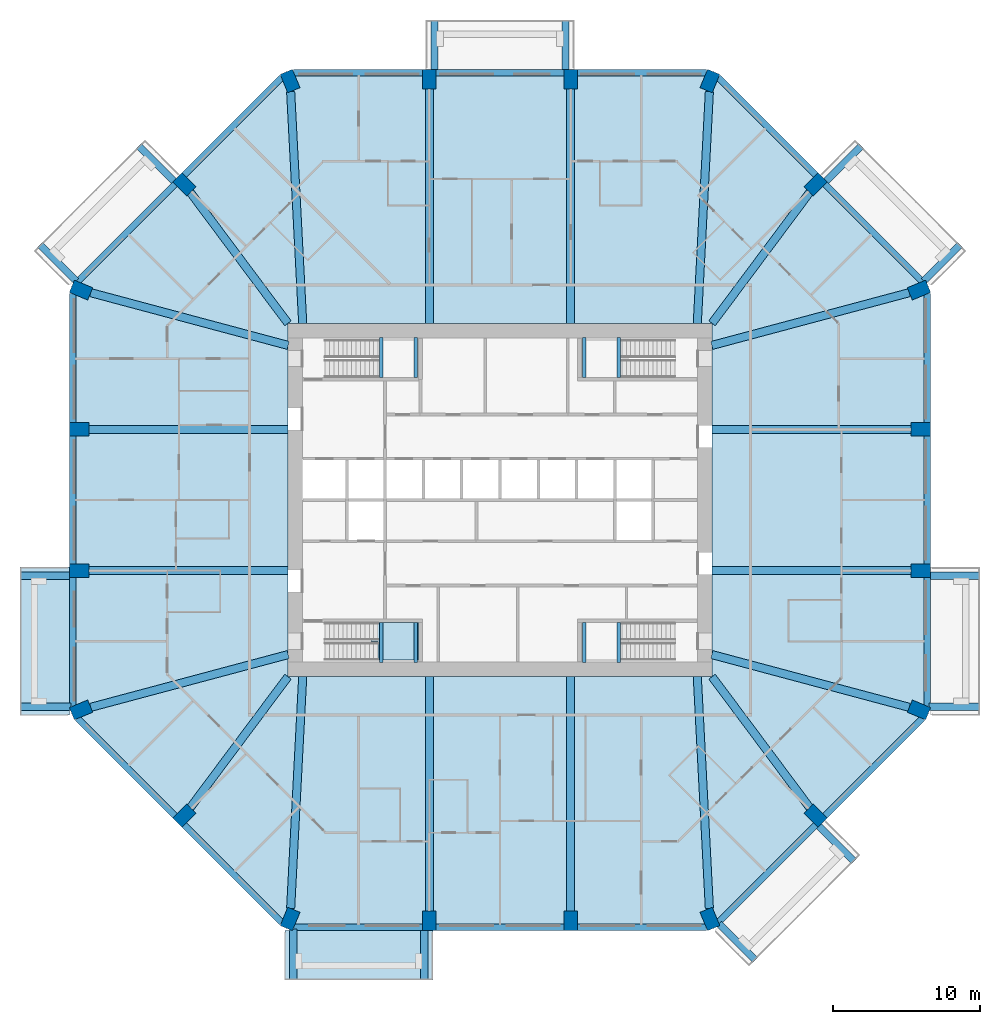
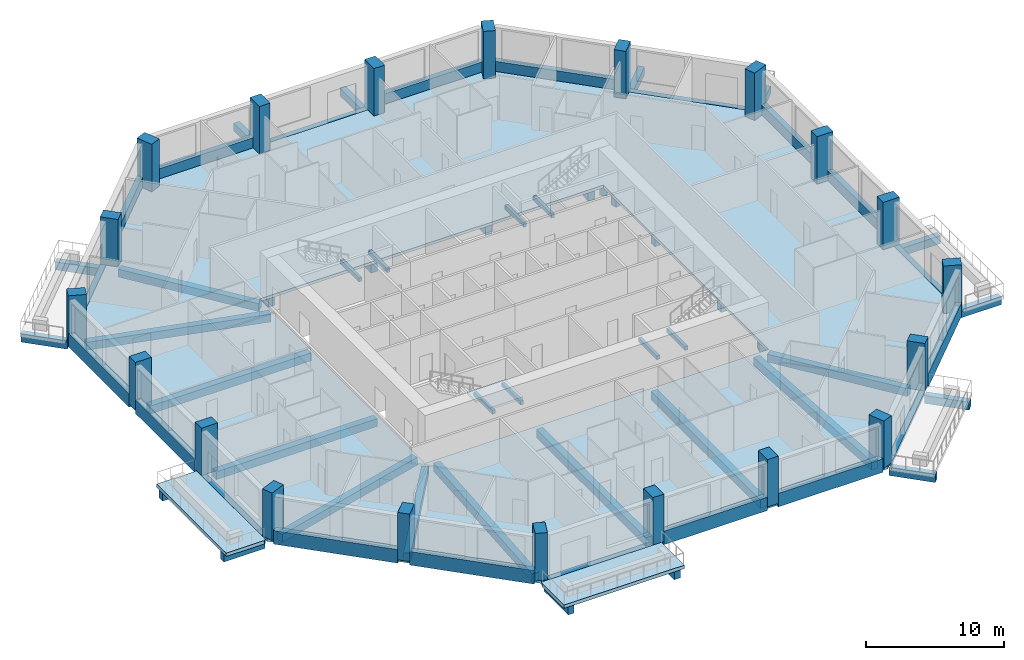
# One storey, part 1 of 13: 62 beams, 20 columns, 4 slabs, 1 element without a shape of its own.
"""IFC4 building model written with IfcOpenShell, lengths in metres."""

from ifc_helpers import new_model, si_unit, direction, frame, origin, origin_2d, place, context, subcontext, project, spatial, polyline, rectangle, outline, extrude, material, layer, layer_set, material_profile, profile_set, type_object, element, aggregate, save


model = new_model("IFC4")

# Units and contexts
model_context = context("Model", 3, precision=1e-05, world=origin(), true_north=direction((0.0, 1.0)))
body_context = subcontext(model_context, "Body", "Model", "MODEL_VIEW")
ifc_project = project(units=[si_unit("LENGTHUNIT", "METRE"), si_unit("AREAUNIT", "SQUARE_METRE"), si_unit("VOLUMEUNIT", "CUBIC_METRE"), si_unit("PLANEANGLEUNIT", "RADIAN"), si_unit("MASSUNIT", "GRAM", prefix="KILO")], contexts=[model_context])

# Site, building, storey
site_placement = place(None, origin())
site = spatial("IfcSite", under=ifc_project, at=site_placement, CompositionType="ELEMENT")
building_placement = place(site_placement, origin())
building = spatial("IfcBuilding", under=site, at=building_placement, Name="Msitu Wima Residences", CompositionType="ELEMENT")
storey_placement = place(building_placement, frame((0.0, 0.0, 84.300048828125)))
storey = spatial("IfcBuildingStorey", under=building, at=storey_placement, Name="L19", CompositionType="ELEMENT", Elevation=84.300048828125)

# Columns
ifc_material_1 = material(Name="Concrete C80/95", Category="concrete")
ifc_material_profile_1 = material_profile(ifc_material_1, rectangle(XDim=0.89990234375, YDim=1.35009765625, at=origin_2d()), Name="RC 900x1350")
ifc_profile_set_1 = profile_set([ifc_material_profile_1], Name="Concrete C80/95")
column_type = type_object("IfcColumnType", Name="Column RC 900x1350 Concrete C80/95", PredefinedType="COLUMN", material=ifc_profile_set_1)
for number, where, z_axis, x_axis, name in (
    (1, (28.4541015625, -14.2568359375, 0.0), (0.0, 0.0, 1.0), (0.382683496864, 0.923879505795, 0.0), "Column L19 C-E0"),
    (2, (28.574951171875, -4.800048828125, 0.0), (0.0, 0.0, 1.0), (0.0, 1.0, 0.0), "Column L19 C-E1"),
    (3, (28.574951171875, 4.800048828125, 0.0), (0.0, 0.0, 1.0), (0.0, 1.0, 0.0), "Column L19 C-E2"),
    (4, (28.4541015625, 14.2568359375, 0.0), (0.0, 0.0, 1.0), (-0.382683496864, 0.923879505795, 0.0), "Column L19 C-NE0"),
    (5, (21.44091796875, 21.44091796875, 0.0), (0.0, 0.0, 1.0), (-0.707106781187, 0.707106781187, 0.0), "Column L19 C-NE1"),
    (6, (14.2568359375, 28.4541015625, 0.0), (0.0, 0.0, 1.0), (-0.923879505795, 0.382683496864, 0.0), "Column L19 C-N0"),
    (7, (4.800048828125, 28.574951171875, 0.0), (0.0, 0.0, 1.0), (-1.0, 0.0, 0.0), "Column L19 C-N1"),
    (8, (-4.800048828125, 28.574951171875, 0.0), (0.0, 0.0, 1.0), (-1.0, 0.0, 0.0), "Column L19 C-N2"),
    (9, (-14.2568359375, 28.4541015625, 0.0), (0.0, 0.0, 1.0), (-0.923879505795, -0.382683496864, 0.0), "Column L19 C-NW0"),
    (10, (-21.44091796875, 21.44091796875, 0.0), (0.0, 0.0, 1.0), (-0.707106781187, -0.707106781187, 0.0), "Column L19 C-NW1"),
    (11, (-28.4541015625, 14.2568359375, 0.0), (0.0, 0.0, 1.0), (-0.382683496864, -0.923879505795, 0.0), "Column L19 C-W0"),
    (12, (-28.574951171875, 4.800048828125, 0.0), (0.0, 0.0, 1.0), (0.0, -1.0, 0.0), "Column L19 C-W1"),
    (13, (-28.574951171875, -4.800048828125, 0.0), (0.0, 0.0, 1.0), (0.0, -1.0, 0.0), "Column L19 C-W2"),
    (14, (-28.4541015625, -14.2568359375, 0.0), (0.0, 0.0, 1.0), (0.382683496864, -0.923879505795, 0.0), "Column L19 C-SW0"),
    (15, (-21.44091796875, -21.44091796875, 0.0), (0.0, 0.0, 1.0), (0.707106781187, -0.707106781187, 0.0), "Column L19 C-SW1"),
    (16, (-14.2568359375, -28.4541015625, 0.0), (0.0, 0.0, 1.0), (0.923879505795, -0.382683496864, 0.0), "Column L19 C-S0"),
    (17, (-4.800048828125, -28.574951171875, 0.0), (0.0, 0.0, 1.0), (1.0, 0.0, 0.0), "Column L19 C-S1"),
    (18, (4.800048828125, -28.574951171875, 0.0), (0.0, 0.0, 1.0), (1.0, 0.0, 0.0), "Column L19 C-S2"),
    (19, (14.2568359375, -28.4541015625, 0.0), (0.0, 0.0, 1.0), (0.923879505795, 0.382683496864, 0.0), "Column L19 C-SE0"),
    (20, (21.44091796875, -21.44091796875, 0.0), (0.0, 0.0, 1.0), (0.707106781187, 0.707106781187, 0.0), "Column L19 C-SE1"),
):
    element("IfcColumn", number, at=place(storey_placement, frame(where, z_axis=z_axis, x_axis=x_axis)), inside=storey, type_object=column_type, Name=name, PredefinedType="COLUMN", context=body_context, shape_type="SweptSolid", body=[
        extrude(rectangle(XDim=0.89990234375, YDim=1.35009765625, at=origin_2d()), origin(), (0.0, 0.0, 1.0), 4.199951171875),
    ])

# Beams
ifc_material_2 = material(Name="Concrete C50/60", Category="concrete")
ifc_material_profile_2 = material_profile(ifc_material_2, rectangle(XDim=0.550048828125, YDim=0.699951171875, at=origin_2d()), Name="RC 550x700")
ifc_profile_set_2 = profile_set([ifc_material_profile_2], Name="Concrete C50/60")
beam_type_1 = type_object("IfcBeamType", Name="Beam RC 550x700 Concrete C50/60", PredefinedType="BEAM", material=ifc_profile_set_2)
beam_1_placement = place(storey_placement, frame((27.79638671875, -14.080810546875, -0.60009765625), z_axis=(-0.966081778408, 0.258236320891, 0.0), x_axis=(-0.258236320891, -0.966081778408, 0.0)))
element("IfcBeam", 21, at=beam_1_placement, inside=storey, type_object=beam_type_1, Name="Beam L19 C-E0", PredefinedType="BEAM", context=body_context, shape_type="SweptSolid", body=[
    extrude(rectangle(XDim=0.550048828125, YDim=0.699951171875, at=origin_2d()), origin(), (0.0, 0.0, 1.0), 13.878662109375),
])
for number, where, z_axis, x_axis, name in (
    (22, (27.89990234375, -4.800048828125, -0.60009765625), (-1.0, 0.0, 0.0), (0.0, -1.0, 0.0), "Beam L19 C-E1"),
    (23, (27.89990234375, 4.800048828125, -0.60009765625), (-1.0, 0.0, 0.0), (0.0, -1.0, 0.0), "Beam L19 C-E2"),
):
    element("IfcBeam", number, at=place(storey_placement, frame(where, z_axis=z_axis, x_axis=x_axis)), inside=storey, type_object=beam_type_1, Name=name, PredefinedType="BEAM", context=body_context, shape_type="SweptSolid", body=[
        extrude(rectangle(XDim=0.550048828125, YDim=0.699951171875, at=origin_2d()), origin(), (0.0, 0.0, 1.0), 13.5),
    ])
beam_2_placement = place(storey_placement, frame((27.79638671875, 14.080810546875, -0.60009765625), z_axis=(-0.966081778408, -0.258236320891, 0.0), x_axis=(0.258236320891, -0.966081778408, 0.0)))
element("IfcBeam", 24, at=beam_2_placement, inside=storey, type_object=beam_type_1, Name="Beam L19 C-NE0", PredefinedType="BEAM", context=body_context, shape_type="SweptSolid", body=[
    extrude(rectangle(XDim=0.550048828125, YDim=0.699951171875, at=origin_2d()), origin(), (0.0, 0.0, 1.0), 13.878662109375),
])
for number, where, z_axis, x_axis, name in (
    (25, (21.033203125, 20.89404296875, -0.60009765625), (-0.597850242031, -0.801607814398, 0.0), (0.801607814398, -0.597850242031, 0.0), "Beam L19 C-NE1"),
    (26, (-21.033203125, 20.89404296875, -0.60009765625), (0.597850242031, -0.801607814398, 0.0), (0.801607814398, 0.597850242031, 0.0), "Beam L19 C-NW1"),
):
    element("IfcBeam", number, at=place(storey_placement, frame(where, z_axis=z_axis, x_axis=x_axis)), inside=storey, type_object=beam_type_1, Name=name, PredefinedType="BEAM", context=body_context, shape_type="SweptSolid", body=[
        extrude(rectangle(XDim=0.550048828125, YDim=0.699951171875, at=origin_2d()), origin(), (0.0, 0.0, 1.0), 11.09521484375),
    ])
beam_3_placement = place(storey_placement, frame((-27.79638671875, 14.080810546875, -0.60009765625), z_axis=(0.966081778408, -0.258236320891, 0.0), x_axis=(0.258236320891, 0.966081778408, 0.0)))
element("IfcBeam", 27, at=beam_3_placement, inside=storey, type_object=beam_type_1, Name="Beam L19 C-W0", PredefinedType="BEAM", context=body_context, shape_type="SweptSolid", body=[
    extrude(rectangle(XDim=0.550048828125, YDim=0.699951171875, at=origin_2d()), origin(), (0.0, 0.0, 1.0), 13.878662109375),
])
for number, where, z_axis, x_axis, name in (
    (28, (-27.89990234375, 4.800048828125, -0.60009765625), (1.0, 0.0, 0.0), (0.0, 1.0, 0.0), "Beam L19 C-W1"),
    (29, (-27.89990234375, -4.800048828125, -0.60009765625), (1.0, 0.0, 0.0), (0.0, 1.0, 0.0), "Beam L19 C-W2"),
):
    element("IfcBeam", number, at=place(storey_placement, frame(where, z_axis=z_axis, x_axis=x_axis)), inside=storey, type_object=beam_type_1, Name=name, PredefinedType="BEAM", context=body_context, shape_type="SweptSolid", body=[
        extrude(rectangle(XDim=0.550048828125, YDim=0.699951171875, at=origin_2d()), origin(), (0.0, 0.0, 1.0), 13.5),
    ])
beam_4_placement = place(storey_placement, frame((-27.79638671875, -14.080810546875, -0.60009765625), z_axis=(0.966081778408, 0.258236320891, 0.0), x_axis=(-0.258236320891, 0.966081778408, 0.0)))
element("IfcBeam", 30, at=beam_4_placement, inside=storey, type_object=beam_type_1, Name="Beam L19 C-SW0", PredefinedType="BEAM", context=body_context, shape_type="SweptSolid", body=[
    extrude(rectangle(XDim=0.550048828125, YDim=0.699951171875, at=origin_2d()), origin(), (0.0, 0.0, 1.0), 13.878662109375),
])
for number, where, z_axis, x_axis, name in (
    (31, (-21.033203125, -20.89404296875, -0.60009765625), (0.597850242031, 0.801607814398, 0.0), (-0.801607814398, 0.597850242031, 0.0), "Beam L19 C-SW1"),
    (32, (21.033203125, -20.89404296875, -0.60009765625), (-0.597850242031, 0.801607814398, 0.0), (-0.801607814398, -0.597850242031, 0.0), "Beam L19 C-SE1"),
):
    element("IfcBeam", number, at=place(storey_placement, frame(where, z_axis=z_axis, x_axis=x_axis)), inside=storey, type_object=beam_type_1, Name=name, PredefinedType="BEAM", context=body_context, shape_type="SweptSolid", body=[
        extrude(rectangle(XDim=0.550048828125, YDim=0.699951171875, at=origin_2d()), origin(), (0.0, 0.0, 1.0), 11.09521484375),
    ])
ifc_material_profile_3 = material_profile(ifc_material_2, rectangle(XDim=0.550048828125, YDim=0.75, at=origin_2d()), Name="RC 550x750")
ifc_profile_set_3 = profile_set([ifc_material_profile_3], Name="Concrete C50/60")
beam_type_2 = type_object("IfcBeamType", Name="Beam RC 550x750 Concrete C50/60", PredefinedType="BEAM", material=ifc_profile_set_3)
beam_5_placement = place(storey_placement, frame((14.219482421875, 27.739013671875, -0.625), z_axis=(-0.05199418091, -0.998647387796, 0.0), x_axis=(0.998647387796, -0.05199418091, 0.0)))
element("IfcBeam", 33, at=beam_5_placement, inside=storey, type_object=beam_type_2, Name="Beam L19 C-N0", PredefinedType="BEAM", context=body_context, shape_type="SweptSolid", body=[
    extrude(rectangle(XDim=0.550048828125, YDim=0.75, at=origin_2d()), origin(), (0.0, 0.0, 1.0), 15.772216796875),
])
for number, where, z_axis, x_axis, name in (
    (34, (4.800048828125, 27.89990234375, -0.625), (0.0, -1.0, 0.0), (1.0, 0.0, 0.0), "Beam L19 C-N1"),
    (35, (-4.800048828125, 27.89990234375, -0.625), (0.0, -1.0, 0.0), (1.0, 0.0, 0.0), "Beam L19 C-N2"),
):
    element("IfcBeam", number, at=place(storey_placement, frame(where, z_axis=z_axis, x_axis=x_axis)), inside=storey, type_object=beam_type_2, Name=name, PredefinedType="BEAM", context=body_context, shape_type="SweptSolid", body=[
        extrude(rectangle(XDim=0.550048828125, YDim=0.75, at=origin_2d()), origin(), (0.0, 0.0, 1.0), 15.89990234375),
    ])
for number, where, z_axis, x_axis, name in (
    (36, (-14.219482421875, 27.739013671875, -0.625), (0.05199418091, -0.998647387796, 0.0), (0.998647387796, 0.05199418091, 0.0), "Beam L19 C-NW0"),
    (37, (-14.219482421875, -27.739013671875, -0.625), (0.05199418091, 0.998647387796, 0.0), (-0.998647387796, 0.05199418091, 0.0), "Beam L19 C-S0"),
):
    element("IfcBeam", number, at=place(storey_placement, frame(where, z_axis=z_axis, x_axis=x_axis)), inside=storey, type_object=beam_type_2, Name=name, PredefinedType="BEAM", context=body_context, shape_type="SweptSolid", body=[
        extrude(rectangle(XDim=0.550048828125, YDim=0.75, at=origin_2d()), origin(), (0.0, 0.0, 1.0), 15.772216796875),
    ])
for number, where, z_axis, x_axis, name in (
    (38, (-4.800048828125, -27.89990234375, -0.625), (0.0, 1.0, 0.0), (-1.0, 0.0, 0.0), "Beam L19 C-S1"),
    (39, (4.800048828125, -27.89990234375, -0.625), (0.0, 1.0, 0.0), (-1.0, 0.0, 0.0), "Beam L19 C-S2"),
):
    element("IfcBeam", number, at=place(storey_placement, frame(where, z_axis=z_axis, x_axis=x_axis)), inside=storey, type_object=beam_type_2, Name=name, PredefinedType="BEAM", context=body_context, shape_type="SweptSolid", body=[
        extrude(rectangle(XDim=0.550048828125, YDim=0.75, at=origin_2d()), origin(), (0.0, 0.0, 1.0), 15.89990234375),
    ])
beam_6_placement = place(storey_placement, frame((14.219482421875, -27.739013671875, -0.625), z_axis=(-0.05199418091, 0.998647387796, 0.0), x_axis=(-0.998647387796, -0.05199418091, 0.0)))
element("IfcBeam", 40, at=beam_6_placement, inside=storey, type_object=beam_type_2, Name="Beam L19 C-SE0", PredefinedType="BEAM", context=body_context, shape_type="SweptSolid", body=[
    extrude(rectangle(XDim=0.550048828125, YDim=0.75, at=origin_2d()), origin(), (0.0, 0.0, 1.0), 15.772216796875),
])
ifc_material_profile_4 = material_profile(ifc_material_2, rectangle(XDim=0.5, YDim=0.699951171875, at=origin_2d()), Name="RC 500x700")
ifc_profile_set_4 = profile_set([ifc_material_profile_4], Name="Concrete C50/60")
beam_type_3 = type_object("IfcBeamType", Name="Cantilever beam RC 500x700 Concrete C50/60", PredefinedType="BEAM", material=ifc_profile_set_4)
beam_7_placement = place(storey_placement, frame((29.130859375, -14.050048828125, -0.650146484375), z_axis=(1.0, 0.0, 0.0), x_axis=(0.0, 1.0, 0.0)))
element("IfcBeam", 41, at=beam_7_placement, inside=storey, type_object=beam_type_3, Name="Cantilever beam L19 BA-E0 A", PredefinedType="BEAM", context=body_context, shape_type="SweptSolid", body=[
    extrude(rectangle(XDim=0.5, YDim=0.699951171875, at=origin_2d()), origin(), (0.0, 0.0, 1.0), 3.46923828125),
])
beam_8_placement = place(storey_placement, frame((29.25, -5.14990234375, -0.650146484375), z_axis=(1.0, 0.0, 0.0), x_axis=(0.0, 1.0, 0.0)))
element("IfcBeam", 42, at=beam_8_placement, inside=storey, type_object=beam_type_3, Name="Cantilever beam L19 BA-E0 B", PredefinedType="BEAM", context=body_context, shape_type="SweptSolid", body=[
    extrude(rectangle(XDim=0.5, YDim=0.699951171875, at=origin_2d()), origin(), (0.0, 0.0, 1.0), 3.35009765625),
])
beam_9_placement = place(storey_placement, frame((28.78662109375, 14.881591796875, -0.650146484375), z_axis=(0.707106781187, 0.707106781187, 0.0), x_axis=(-0.707106781187, 0.707106781187, 0.0)))
element("IfcBeam", 43, at=beam_9_placement, inside=storey, type_object=beam_type_3, Name="Cantilever beam L19 BA-NE0 A", PredefinedType="BEAM", context=body_context, shape_type="SweptSolid", body=[
    extrude(rectangle(XDim=0.5, YDim=0.699951171875, at=origin_2d()), origin(), (0.0, 0.0, 1.0), 3.468994140625),
])
beam_10_placement = place(storey_placement, frame((22.165771484375, 21.670654296875, -0.650146484375), z_axis=(0.707070340836, 0.707143219659, 0.0), x_axis=(-0.707143219659, 0.707070340836, 0.0)))
element("IfcBeam", 44, at=beam_10_placement, inside=storey, type_object=beam_type_3, Name="Cantilever beam L19 BA-NE0 B", PredefinedType="BEAM", context=body_context, shape_type="SweptSolid", body=[
    extrude(rectangle(XDim=0.5, YDim=0.699951171875, at=origin_2d()), origin(), (0.0, 0.0, 1.0), 3.349853515625),
])
for number, where, z_axis, x_axis, name in (
    (45, (4.449951171875, 29.25, -0.650146484375), (0.0, 1.0, 0.0), (-1.0, 0.0, 0.0), "Cantilever beam L19 BA-N1 A"),
    (46, (-4.449951171875, 29.25, -0.650146484375), (0.0, 1.0, 0.0), (-1.0, 0.0, 0.0), "Cantilever beam L19 BA-N1 B"),
):
    element("IfcBeam", number, at=place(storey_placement, frame(where, z_axis=z_axis, x_axis=x_axis)), inside=storey, type_object=beam_type_3, Name=name, PredefinedType="BEAM", context=body_context, shape_type="SweptSolid", body=[
        extrude(rectangle(XDim=0.5, YDim=0.699951171875, at=origin_2d()), origin(), (0.0, 0.0, 1.0), 3.35009765625),
    ])
beam_11_placement = place(storey_placement, frame((-22.165771484375, 21.670654296875, -0.650146484375), z_axis=(-0.707070340836, 0.707143219659, 0.0), x_axis=(-0.707143219659, -0.707070340836, 0.0)))
element("IfcBeam", 47, at=beam_11_placement, inside=storey, type_object=beam_type_3, Name="Cantilever beam L19 BA-NW1 A", PredefinedType="BEAM", context=body_context, shape_type="SweptSolid", body=[
    extrude(rectangle(XDim=0.5, YDim=0.699951171875, at=origin_2d()), origin(), (0.0, 0.0, 1.0), 3.349853515625),
])
beam_12_placement = place(storey_placement, frame((-28.78662109375, 14.881591796875, -0.650146484375), z_axis=(-0.707106781187, 0.707106781187, 0.0), x_axis=(-0.707106781187, -0.707106781187, 0.0)))
element("IfcBeam", 48, at=beam_12_placement, inside=storey, type_object=beam_type_3, Name="Cantilever beam L19 BA-NW1 B", PredefinedType="BEAM", context=body_context, shape_type="SweptSolid", body=[
    extrude(rectangle(XDim=0.5, YDim=0.699951171875, at=origin_2d()), origin(), (0.0, 0.0, 1.0), 3.468994140625),
])
beam_13_placement = place(storey_placement, frame((-29.25, -5.14990234375, -0.650146484375), z_axis=(-1.0, 0.0, 0.0), x_axis=(0.0, -1.0, 0.0)))
element("IfcBeam", 49, at=beam_13_placement, inside=storey, type_object=beam_type_3, Name="Cantilever beam L19 BA-W2 A", PredefinedType="BEAM", context=body_context, shape_type="SweptSolid", body=[
    extrude(rectangle(XDim=0.5, YDim=0.699951171875, at=origin_2d()), origin(), (0.0, 0.0, 1.0), 3.35009765625),
])
for number, where, z_axis, x_axis, name in (
    (50, (-29.130859375, -14.050048828125, -0.650146484375), (-1.0, 0.0, 0.0), (0.0, -1.0, 0.0), "Cantilever beam L19 BA-W2 B"),
    (51, (-14.050048828125, -29.130859375, -0.650146484375), (0.0, -1.0, 0.0), (1.0, 0.0, 0.0), "Cantilever beam L19 BA-S0 A"),
):
    element("IfcBeam", number, at=place(storey_placement, frame(where, z_axis=z_axis, x_axis=x_axis)), inside=storey, type_object=beam_type_3, Name=name, PredefinedType="BEAM", context=body_context, shape_type="SweptSolid", body=[
        extrude(rectangle(XDim=0.5, YDim=0.699951171875, at=origin_2d()), origin(), (0.0, 0.0, 1.0), 3.46923828125),
    ])
beam_14_placement = place(storey_placement, frame((-5.14990234375, -29.25, -0.650146484375), z_axis=(0.0, -1.0, 0.0), x_axis=(1.0, 0.0, 0.0)))
element("IfcBeam", 52, at=beam_14_placement, inside=storey, type_object=beam_type_3, Name="Cantilever beam L19 BA-S0 B", PredefinedType="BEAM", context=body_context, shape_type="SweptSolid", body=[
    extrude(rectangle(XDim=0.5, YDim=0.699951171875, at=origin_2d()), origin(), (0.0, 0.0, 1.0), 3.35009765625),
])
beam_15_placement = place(storey_placement, frame((14.881591796875, -28.78662109375, -0.650146484375), z_axis=(0.707106781187, -0.707106781187, 0.0), x_axis=(0.707106781187, 0.707106781187, 0.0)))
element("IfcBeam", 53, at=beam_15_placement, inside=storey, type_object=beam_type_3, Name="Cantilever beam L19 BA-SE0 A", PredefinedType="BEAM", context=body_context, shape_type="SweptSolid", body=[
    extrude(rectangle(XDim=0.5, YDim=0.699951171875, at=origin_2d()), origin(), (0.0, 0.0, 1.0), 3.468994140625),
])
beam_16_placement = place(storey_placement, frame((21.670654296875, -22.165771484375, -0.650146484375), z_axis=(0.707143219659, -0.707070340836, 0.0), x_axis=(0.707070340836, 0.707143219659, 0.0)))
element("IfcBeam", 54, at=beam_16_placement, inside=storey, type_object=beam_type_3, Name="Cantilever beam L19 BA-SE0 B", PredefinedType="BEAM", context=body_context, shape_type="SweptSolid", body=[
    extrude(rectangle(XDim=0.5, YDim=0.699951171875, at=origin_2d()), origin(), (0.0, 0.0, 1.0), 3.349853515625),
])
ifc_material_profile_5 = material_profile(ifc_material_2, rectangle(XDim=0.449951171875, YDim=0.300048828125, at=origin_2d()), Name="RC 450x300")
ifc_profile_set_5 = profile_set([ifc_material_profile_5], Name="Concrete C50/60")
beam_type_4 = type_object("IfcBeamType", Name="Edge beam RC 450x300 Concrete C50/60", PredefinedType="SPANDREL", material=ifc_profile_set_5)
beam_17_placement = place(storey_placement, frame((29.02490234375, -14.01806640625, -0.150146484375), z_axis=(0.0, 1.0, 0.0), x_axis=(-1.0, 0.0, 0.0)))
element("IfcBeam", 55, at=beam_17_placement, inside=storey, type_object=beam_type_4, Name="Spandrel L19 E0", PredefinedType="SPANDREL", context=body_context, shape_type="SweptSolid", body=[
    extrude(rectangle(XDim=0.449951171875, YDim=0.300048828125, at=origin_2d()), origin(), (0.0, 0.0, 1.0), 8.76806640625),
])
beam_18_placement = place(storey_placement, frame((28.68896484375, 14.8291015625, -0.150146484375), z_axis=(-0.707093725903, 0.707119836229, 0.0), x_axis=(-0.707119836229, -0.707093725903, 0.0)))
element("IfcBeam", 56, at=beam_18_placement, inside=storey, type_object=beam_type_4, Name="Spandrel L19 NE0", PredefinedType="SPANDREL", context=body_context, shape_type="SweptSolid", body=[
    extrude(rectangle(XDim=0.449951171875, YDim=0.300048828125, at=origin_2d()), origin(), (0.0, 0.0, 1.0), 9.350341796875),
])
beam_19_placement = place(storey_placement, frame((4.35009765625, 29.02490234375, -0.150146484375), z_axis=(-1.0, 0.0, 0.0), x_axis=(0.0, -1.0, 0.0)))
element("IfcBeam", 57, at=beam_19_placement, inside=storey, type_object=beam_type_4, Name="Spandrel L19 N1", PredefinedType="SPANDREL", context=body_context, shape_type="SweptSolid", body=[
    extrude(rectangle(XDim=0.449951171875, YDim=0.300048828125, at=origin_2d()), origin(), (0.0, 0.0, 1.0), 8.7001953125),
])
beam_20_placement = place(storey_placement, frame((-22.077392578125, 21.44091796875, -0.150146484375), z_axis=(-0.707093725903, -0.707119836229, 0.0), x_axis=(0.707119836229, -0.707093725903, 0.0)))
element("IfcBeam", 58, at=beam_20_placement, inside=storey, type_object=beam_type_4, Name="Spandrel L19 NW1", PredefinedType="SPANDREL", context=body_context, shape_type="SweptSolid", body=[
    extrude(rectangle(XDim=0.449951171875, YDim=0.300048828125, at=origin_2d()), origin(), (0.0, 0.0, 1.0), 9.350341796875),
])
for number, where, z_axis, x_axis, name in (
    (59, (-29.02490234375, -5.25, -0.150146484375), (0.0, -1.0, 0.0), (1.0, 0.0, 0.0), "Spandrel L19 W2"),
    (60, (-14.01806640625, -29.02490234375, -0.150146484375), (1.0, 0.0, 0.0), (0.0, 1.0, 0.0), "Spandrel L19 S0"),
):
    element("IfcBeam", number, at=place(storey_placement, frame(where, z_axis=z_axis, x_axis=x_axis)), inside=storey, type_object=beam_type_4, Name=name, PredefinedType="SPANDREL", context=body_context, shape_type="SweptSolid", body=[
        extrude(rectangle(XDim=0.449951171875, YDim=0.300048828125, at=origin_2d()), origin(), (0.0, 0.0, 1.0), 8.76806640625),
    ])
beam_21_placement = place(storey_placement, frame((14.8291015625, -28.68896484375, -0.150146484375), z_axis=(0.707119836229, 0.707093725903, 0.0), x_axis=(-0.707093725903, 0.707119836229, 0.0)))
element("IfcBeam", 61, at=beam_21_placement, inside=storey, type_object=beam_type_4, Name="Spandrel L19 SE0", PredefinedType="SPANDREL", context=body_context, shape_type="SweptSolid", body=[
    extrude(rectangle(XDim=0.449951171875, YDim=0.300048828125, at=origin_2d()), origin(), (0.0, 0.0, 1.0), 9.350341796875),
])
ifc_material_3 = material(Name="Concrete C40/50", Category="concrete")
ifc_material_profile_6 = material_profile(ifc_material_3, rectangle(XDim=0.25, YDim=0.35009765625, at=origin_2d()), Name="RC 250x350")
ifc_profile_set_6 = profile_set([ifc_material_profile_6], Name="Concrete C40/50")
beam_type_5 = type_object("IfcBeamType", Name="Landing beam RC 250x350", PredefinedType="BEAM", material=ifc_profile_set_6)
for number, where, z_axis, x_axis, name in (
    (62, (-8.074951171875, 8.324951171875, 1.724853515625), (0.0, 1.0, 0.0), (-1.0, 0.0, 0.0), "Stair 1 landing beam"),
    (63, (-5.72509765625, 8.324951171875, 1.724853515625), (0.0, 1.0, 0.0), (-1.0, 0.0, 0.0), "Stair 1 landing beam"),
    (64, (-8.074951171875, -11.02490234375, 1.724853515625), (0.0, 1.0, 0.0), (-1.0, 0.0, 0.0), "Stair 2 landing beam"),
    (65, (-5.72509765625, -11.02490234375, 1.724853515625), (0.0, 1.0, 0.0), (-1.0, 0.0, 0.0), "Stair 2 landing beam"),
    (66, (8.074951171875, 8.324951171875, 1.724853515625), (0.0, 1.0, 0.0), (-1.0, 0.0, 0.0), "Stair 3 landing beam"),
    (67, (5.72509765625, 8.324951171875, 1.724853515625), (0.0, 1.0, 0.0), (-1.0, 0.0, 0.0), "Stair 3 landing beam"),
    (68, (8.074951171875, -11.02490234375, 1.724853515625), (0.0, 1.0, 0.0), (-1.0, 0.0, 0.0), "Stair 4 landing beam"),
    (69, (5.72509765625, -11.02490234375, 1.724853515625), (0.0, 1.0, 0.0), (-1.0, 0.0, 0.0), "Stair 4 landing beam"),
):
    element("IfcBeam", number, at=place(storey_placement, frame(where, z_axis=z_axis, x_axis=x_axis)), inside=storey, type_object=beam_type_5, Name=name, PredefinedType="BEAM", context=body_context, shape_type="SweptSolid", body=[
        extrude(rectangle(XDim=0.25, YDim=0.35009765625, at=origin_2d()), origin(), (0.0, 0.0, 1.0), 2.699951171875),
    ])
ifc_material_profile_7 = material_profile(ifc_material_2, rectangle(XDim=0.449951171875, YDim=1.199951171875, at=origin_2d()), Name="RC 450x1200")
ifc_profile_set_7 = profile_set([ifc_material_profile_7], Name="Concrete C50/60")
beam_type_6 = type_object("IfcBeamType", Name="Spandrel RC 450x1200 Concrete C50/60", PredefinedType="SPANDREL", material=ifc_profile_set_7)
beam_22_placement = place(storey_placement, frame((29.02490234375, -4.35009765625, 0.300048828125), z_axis=(0.0, 1.0, 0.0), x_axis=(-1.0, 0.0, 0.0)))
element("IfcBeam", 70, at=beam_22_placement, inside=storey, type_object=beam_type_6, Name="Spandrel L19 E1", PredefinedType="SPANDREL", context=body_context, shape_type="SweptSolid", body=[
    extrude(rectangle(XDim=0.449951171875, YDim=1.199951171875, at=origin_2d()), origin(), (0.0, 0.0, 1.0), 8.7001953125),
])
beam_23_placement = place(storey_placement, frame((29.02490234375, 5.25, 0.300048828125), z_axis=(0.0, 1.0, 0.0), x_axis=(-1.0, 0.0, 0.0)))
element("IfcBeam", 71, at=beam_23_placement, inside=storey, type_object=beam_type_6, Name="Spandrel L19 E2", PredefinedType="SPANDREL", context=body_context, shape_type="SweptSolid", body=[
    extrude(rectangle(XDim=0.449951171875, YDim=1.199951171875, at=origin_2d()), origin(), (0.0, 0.0, 1.0), 8.76806640625),
])
beam_24_placement = place(storey_placement, frame((21.44091796875, 22.077392578125, 0.300048828125), z_axis=(-0.707119836229, 0.707093725903, 0.0), x_axis=(-0.707093725903, -0.707119836229, 0.0)))
element("IfcBeam", 72, at=beam_24_placement, inside=storey, type_object=beam_type_6, Name="Spandrel L19 NE1", PredefinedType="SPANDREL", context=body_context, shape_type="SweptSolid", body=[
    extrude(rectangle(XDim=0.449951171875, YDim=1.199951171875, at=origin_2d()), origin(), (0.0, 0.0, 1.0), 9.350341796875),
])
for number, where, z_axis, x_axis, name in (
    (73, (14.01806640625, 29.02490234375, 0.300048828125), (-1.0, 0.0, 0.0), (0.0, -1.0, 0.0), "Spandrel L19 N0"),
    (74, (-5.25, 29.02490234375, 0.300048828125), (-1.0, 0.0, 0.0), (0.0, -1.0, 0.0), "Spandrel L19 N2"),
):
    element("IfcBeam", number, at=place(storey_placement, frame(where, z_axis=z_axis, x_axis=x_axis)), inside=storey, type_object=beam_type_6, Name=name, PredefinedType="SPANDREL", context=body_context, shape_type="SweptSolid", body=[
        extrude(rectangle(XDim=0.449951171875, YDim=1.199951171875, at=origin_2d()), origin(), (0.0, 0.0, 1.0), 8.76806640625),
    ])
beam_25_placement = place(storey_placement, frame((-14.8291015625, 28.68896484375, 0.300048828125), z_axis=(-0.707119836229, -0.707093725903, 0.0), x_axis=(0.707093725903, -0.707119836229, 0.0)))
element("IfcBeam", 75, at=beam_25_placement, inside=storey, type_object=beam_type_6, Name="Spandrel L19 NW0", PredefinedType="SPANDREL", context=body_context, shape_type="SweptSolid", body=[
    extrude(rectangle(XDim=0.449951171875, YDim=1.199951171875, at=origin_2d()), origin(), (0.0, 0.0, 1.0), 9.350341796875),
])
beam_26_placement = place(storey_placement, frame((-29.02490234375, 14.01806640625, 0.300048828125), z_axis=(0.0, -1.0, 0.0), x_axis=(1.0, 0.0, 0.0)))
element("IfcBeam", 76, at=beam_26_placement, inside=storey, type_object=beam_type_6, Name="Spandrel L19 W0", PredefinedType="SPANDREL", context=body_context, shape_type="SweptSolid", body=[
    extrude(rectangle(XDim=0.449951171875, YDim=1.199951171875, at=origin_2d()), origin(), (0.0, 0.0, 1.0), 8.76806640625),
])
beam_27_placement = place(storey_placement, frame((-29.02490234375, 4.35009765625, 0.300048828125), z_axis=(0.0, -1.0, 0.0), x_axis=(1.0, 0.0, 0.0)))
element("IfcBeam", 77, at=beam_27_placement, inside=storey, type_object=beam_type_6, Name="Spandrel L19 W1", PredefinedType="SPANDREL", context=body_context, shape_type="SweptSolid", body=[
    extrude(rectangle(XDim=0.449951171875, YDim=1.199951171875, at=origin_2d()), origin(), (0.0, 0.0, 1.0), 8.7001953125),
])
for number, where, z_axis, x_axis, name in (
    (78, (-28.68896484375, -14.8291015625, 0.300048828125), (0.707093725903, -0.707119836229, 0.0), (0.707119836229, 0.707093725903, 0.0), "Spandrel L19 SW0"),
    (79, (-21.44091796875, -22.077392578125, 0.300048828125), (0.707119836229, -0.707093725903, 0.0), (0.707093725903, 0.707119836229, 0.0), "Spandrel L19 SW1"),
):
    element("IfcBeam", number, at=place(storey_placement, frame(where, z_axis=z_axis, x_axis=x_axis)), inside=storey, type_object=beam_type_6, Name=name, PredefinedType="SPANDREL", context=body_context, shape_type="SweptSolid", body=[
        extrude(rectangle(XDim=0.449951171875, YDim=1.199951171875, at=origin_2d()), origin(), (0.0, 0.0, 1.0), 9.350341796875),
    ])
beam_28_placement = place(storey_placement, frame((-4.35009765625, -29.02490234375, 0.300048828125), z_axis=(1.0, 0.0, 0.0), x_axis=(0.0, 1.0, 0.0)))
element("IfcBeam", 80, at=beam_28_placement, inside=storey, type_object=beam_type_6, Name="Spandrel L19 S1", PredefinedType="SPANDREL", context=body_context, shape_type="SweptSolid", body=[
    extrude(rectangle(XDim=0.449951171875, YDim=1.199951171875, at=origin_2d()), origin(), (0.0, 0.0, 1.0), 8.7001953125),
])
beam_29_placement = place(storey_placement, frame((5.25, -29.02490234375, 0.300048828125), z_axis=(1.0, 0.0, 0.0), x_axis=(0.0, 1.0, 0.0)))
element("IfcBeam", 81, at=beam_29_placement, inside=storey, type_object=beam_type_6, Name="Spandrel L19 S2", PredefinedType="SPANDREL", context=body_context, shape_type="SweptSolid", body=[
    extrude(rectangle(XDim=0.449951171875, YDim=1.199951171875, at=origin_2d()), origin(), (0.0, 0.0, 1.0), 8.76806640625),
])
beam_30_placement = place(storey_placement, frame((22.077392578125, -21.44091796875, 0.300048828125), z_axis=(0.707093725903, 0.707119836229, 0.0), x_axis=(-0.707119836229, 0.707093725903, 0.0)))
element("IfcBeam", 82, at=beam_30_placement, inside=storey, type_object=beam_type_6, Name="Spandrel L19 SE1", PredefinedType="SPANDREL", context=body_context, shape_type="SweptSolid", body=[
    extrude(rectangle(XDim=0.449951171875, YDim=1.199951171875, at=origin_2d()), origin(), (0.0, 0.0, 1.0), 9.350341796875),
])

# Slabs
ifc_layer_1 = layer(ifc_material_3, 0.300048828125)
ifc_layer_set_1 = layer_set([ifc_layer_1], Name="Concrete C40/50")
slab_type_1 = type_object("IfcSlabType", Name="Balcony slab BS300", PredefinedType="FLOOR", material=ifc_layer_set_1)
slab_1_placement = place(storey_placement, frame((0.0, 0.0, -0.300048828125)))
element("IfcSlab", 83, at=slab_1_placement, inside=storey, type_object=slab_type_1, Name="Balcony W2 L19", PredefinedType="FLOOR", context=body_context, shape_type="SweptSolid", body=[
    extrude(outline(polyline([(-29.25, -14.099365234375), (-29.25, -14.099365234375), (-29.25, -14.099365234375), (-29.25, -14.58642578125), (-29.403564453125, -14.64990234375), (-32.60009765625, -14.64990234375), (-32.60009765625, -4.550048828125), (-29.25, -4.550048828125), (-29.25, -5.25), (-29.25, -14.099365234375)])), origin(), (0.0, 0.0, 1.0), 0.300048828125),
])
slab_2_placement = place(storey_placement, frame((0.0, 0.0, -0.300048828125)))
element("IfcSlab", 84, at=slab_2_placement, inside=storey, type_object=slab_type_1, Name="Balcony S0 L19", PredefinedType="FLOOR", context=body_context, shape_type="SweptSolid", body=[
    extrude(outline(polyline([(-14.099365234375, -29.25), (-14.099365234375, -29.25), (-5.25, -29.25), (-4.550048828125, -29.25), (-4.550048828125, -32.60009765625), (-14.64990234375, -32.60009765625), (-14.64990234375, -29.403564453125), (-14.58642578125, -29.25), (-14.099365234375, -29.25), (-14.099365234375, -29.25)])), origin(), (0.0, 0.0, 1.0), 0.300048828125),
])
ifc_layer_2 = layer(ifc_material_3, 0.25)
ifc_layer_set_2 = layer_set([ifc_layer_2], Name="Concrete C40/50")
slab_type_2 = type_object("IfcSlabType", Name="PT flat slab 250 Concrete C40/50", PredefinedType="FLOOR", material=ifc_layer_set_2)
slab_3_placement = place(storey_placement, frame((0.0, 0.0, -0.25)))
element("IfcSlab", 85, at=slab_3_placement, inside=storey, type_object=slab_type_2, Name="Floor slab L19", PredefinedType="FLOOR", context=body_context, shape_type="SweptSolid", body=[
    extrude(outline(polyline([(29.10009765625, -14.524169921875), (14.524169921875, -29.10009765625), (-14.524169921875, -29.10009765625), (-29.10009765625, -14.524169921875), (-29.10009765625, 14.524169921875), (-14.524169921875, 29.10009765625), (14.524169921875, 29.10009765625), (29.10009765625, 14.524169921875), (29.10009765625, -14.524169921875)]), holes=[polyline([(-14.39990234375, -12.0), (14.39990234375, -12.0), (14.39990234375, 12.0), (-14.39990234375, 12.0), (-14.39990234375, -12.0)])]), origin(), (0.0, 0.0, 1.0), 0.25),
])

# Stair, slab
stair_type = type_object("IfcStairType", Name="Exit stair ES1615-120", PredefinedType="HALF_TURN_STAIR", material=ifc_material_3)
stair_placement = place(storey_placement, origin())
stair = element("IfcStair", 86, at=stair_placement, inside=storey, type_object=stair_type, Name="Exit stair 2", PredefinedType="HALF_TURN_STAIR")
ifc_layer_3 = layer(ifc_material_3, 0.199951171875)
ifc_layer_set_3 = layer_set([ifc_layer_3], Name="Concrete C40/50")
slab_type_3 = type_object("IfcSlabType", Name="Stair landing SL200", PredefinedType="LANDING", material=ifc_layer_set_3)
slab_4_placement = place(storey_placement, frame((0.0, 0.0, 1.89990234375)))
slab_4 = element("IfcSlab", 87, at=slab_4_placement, type_object=slab_type_3, Name="S2 landing 1", PredefinedType="LANDING", context=body_context, shape_type="SweptSolid", body=[
    extrude(outline(polyline([(-5.52490234375, -10.875), (-8.275390625, -10.875), (-8.275390625, -9.60009765625), (-8.77490234375, -9.60009765625), (-8.77490234375, -8.324951171875), (-5.52490234375, -8.324951171875), (-5.52490234375, -10.875)])), origin(), (0.0, 0.0, 1.0), 0.199951171875),
])
aggregate(stair, [slab_4])

save(model, "model.ifc")
